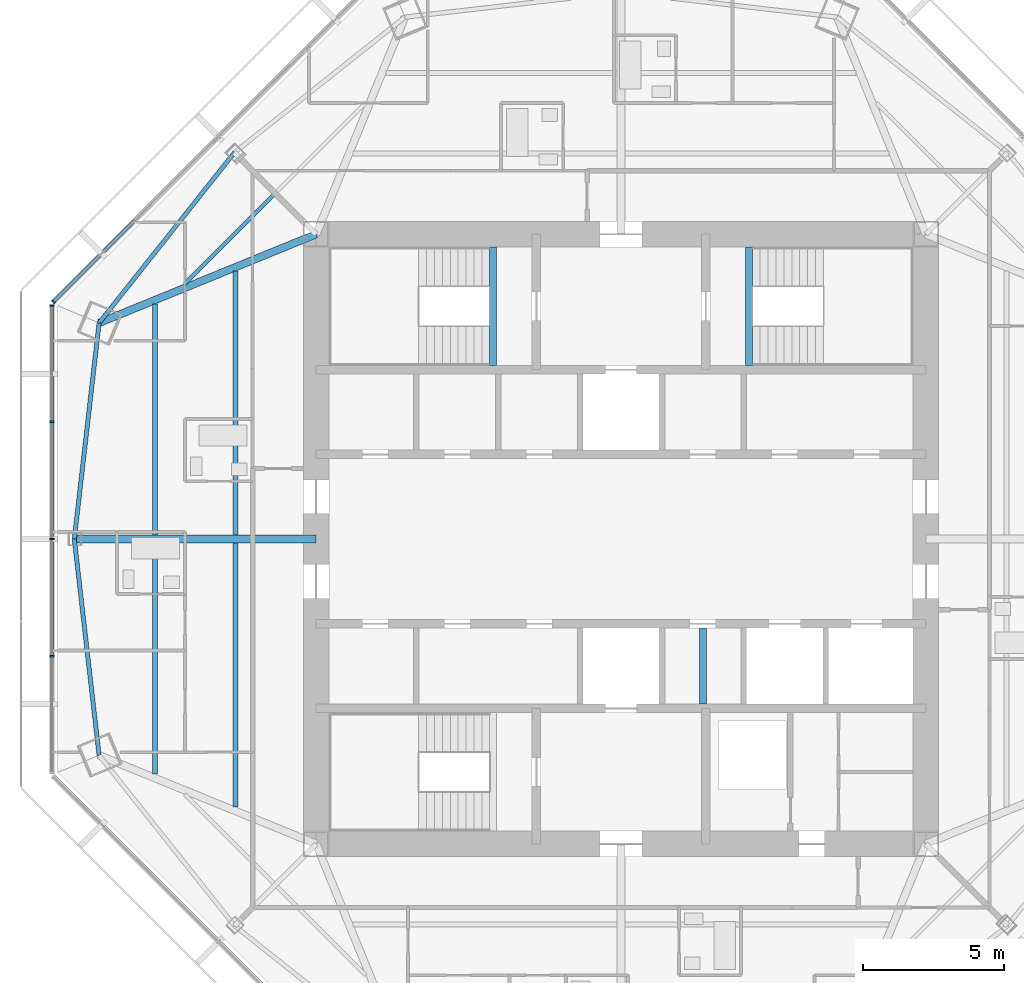
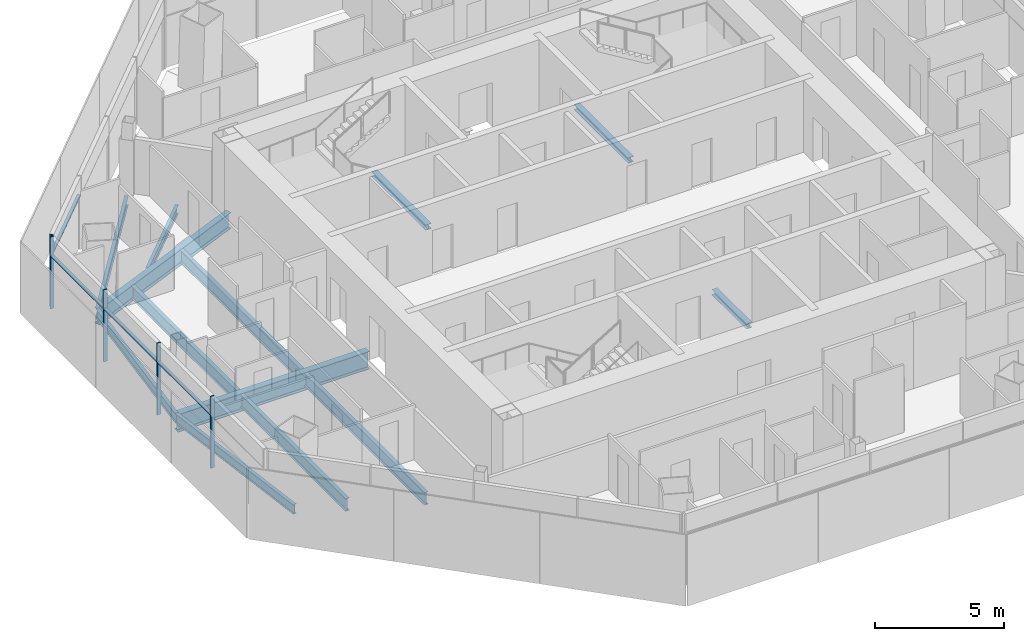
# One storey, part 4 of 15: 13 beams, 9 members, 2 elements without a shape of their own.
"""IFC4 building model written with IfcOpenShell, lengths in metres."""

import ifcopenshell
import ifcopenshell.guid

model = None  # the IFC model being written
_history = None  # IfcOwnerHistory: only IFC2X3 demands one
_inside = {}  # id of a spatial element -> (the spatial element, [elements in it])
_under = {}  # id of a project, library or spatial element -> (it, [spatial elements below it])
_declared = {}  # id of a project -> (the project, [libraries it declares])
_typed = {}  # id of a type object -> (the type object, [elements of that type])
_made_of = {}  # id of a material, layer set ... -> (it, [elements and type objects made of it])


def new_model(schema):
    """Start an empty IFC model of exactly this schema.

    Asked for "IFC4X3", IfcOpenShell would pick the latest addendum, in which some entities
    have other attributes; the version numbers below select the first issue.
    IFC2X3 requires an IfcOwnerHistory on every rooted entity: one is made here for all.
    """
    global model, _history
    if schema == "IFC4X3":
        model = ifcopenshell.file(schema_version=(4, 3, 0, 0))
    else:
        model = ifcopenshell.file(schema=schema)
    _inside.clear()
    _under.clear()
    _declared.clear()
    _typed.clear()
    _made_of.clear()
    _history = None
    if model.schema == "IFC2X3":
        org = make("IfcOrganization", Name="unknown")
        user = make(
            "IfcPersonAndOrganization",
            ThePerson=make("IfcPerson", FamilyName="unknown"),
            TheOrganization=org,
        )
        app = make(
            "IfcApplication",
            ApplicationDeveloper=org,
            Version="unknown",
            ApplicationFullName="unknown",
            ApplicationIdentifier="unknown",
        )
        _history = make(
            "IfcOwnerHistory",
            OwningUser=user,
            OwningApplication=app,
            ChangeAction="ADDED",
            CreationDate=0,
        )
    return model


def make(cls, **values):
    """One entity of the class cls with the attributes given. An attribute that is None is left unset."""
    return model.create_entity(
        cls, **{name: value for name, value in values.items() if value is not None}
    )


def rooted(cls, **values):
    """An entity with a GlobalId (a new one), such as an element, a storey or a relation."""
    return make(cls, GlobalId=ifcopenshell.guid.new(), OwnerHistory=_history, **values)


def si_unit(unit_type, name, prefix=None):
    """IfcSIUnit, for example si_unit("LENGTHUNIT", "METRE", prefix="MILLI")."""
    return make("IfcSIUnit", UnitType=unit_type, Prefix=prefix, Name=name)


def assignment(units):
    """IfcUnitAssignment: the units of a project."""
    return None if units is None else make("IfcUnitAssignment", Units=units)


def point(xyz):
    """IfcCartesianPoint."""
    return None if xyz is None else make("IfcCartesianPoint", Coordinates=xyz)


def direction(xyz):
    """IfcDirection."""
    return None if xyz is None else make("IfcDirection", DirectionRatios=xyz)


def frame(location, z_axis=None, x_axis=None):
    """IfcAxis2Placement3D, a coordinate frame: its origin and axes. An axis left out is left unset."""
    return make(
        "IfcAxis2Placement3D",
        Location=point(location),
        Axis=direction(z_axis),
        RefDirection=direction(x_axis),
    )


def frame_2d(location, x_axis=None):
    """IfcAxis2Placement2D, a coordinate frame in the plane: its origin and x axis."""
    return make(
        "IfcAxis2Placement2D", Location=point(location), RefDirection=direction(x_axis)
    )


def origin():
    """The frame at (0, 0, 0) with its axes left unset."""
    return frame((0.0, 0.0, 0.0))


def origin_2d():
    """The frame at (0, 0) in the plane with its x axis left unset."""
    return frame_2d((0.0, 0.0))


def place(relative_to, where):
    """IfcLocalPlacement: puts the frame where relative to a parent placement (None: the world)."""
    return make(
        "IfcLocalPlacement", PlacementRelTo=relative_to, RelativePlacement=where
    )


def context(
    kind, dimensions, precision=None, world=None, true_north=None, identifier=None
):
    """IfcGeometricRepresentationContext, for example the 3D "Model" context."""
    return make(
        "IfcGeometricRepresentationContext",
        ContextIdentifier=identifier,
        ContextType=kind,
        CoordinateSpaceDimension=dimensions,
        Precision=precision,
        WorldCoordinateSystem=world,
        TrueNorth=true_north,
    )


def subcontext(parent, identifier, kind, view, scale=None):
    """IfcGeometricRepresentationSubContext, for example "Body" below "Model"."""
    return make(
        "IfcGeometricRepresentationSubContext",
        ContextIdentifier=identifier,
        ContextType=kind,
        ParentContext=parent,
        TargetScale=scale,
        TargetView=view,
    )


def project(units=None, contexts=None):
    """IfcProject with its units and contexts."""
    return rooted(
        "IfcProject",
        Name="project",
        RepresentationContexts=contexts,
        UnitsInContext=assignment(units),
    )


def spatial(cls, under=None, at=None, **own):
    """A site, building, storey or space (cls), placed at a placement, below another one or the project."""
    s = rooted(cls, ObjectPlacement=at, **own)
    if under is not None:
        _under.setdefault(under.id(), (under, []))[1].append(s)
    return s


def profile(cls, at=None, kind="AREA", **sizes):
    """A parametric profile (cls). Its sizes go by their IFC names, for example OverallWidth=200.0."""
    return make(cls, ProfileType=kind, Position=at, **sizes)


def rectangle(**sizes):
    """IfcRectangleProfileDef."""
    return profile("IfcRectangleProfileDef", **sizes)


def i_section(**sizes):
    """IfcIShapeProfileDef."""
    return profile("IfcIShapeProfileDef", **sizes)


def extrude(swept, where, along, depth):
    """IfcExtrudedAreaSolid: the profile swept, set in the frame where, extruded along a direction by depth."""
    return make(
        "IfcExtrudedAreaSolid",
        SweptArea=swept,
        Position=where,
        ExtrudedDirection=direction(along),
        Depth=depth,
    )


def shape(context_of_items, identifier, shape_type, items):
    """IfcShapeRepresentation: the items that make up one representation, for example the "Body"."""
    return make(
        "IfcShapeRepresentation",
        ContextOfItems=context_of_items,
        RepresentationIdentifier=identifier,
        RepresentationType=shape_type,
        Items=items,
    )


def source(mapping_origin, context_of_items, identifier, shape_type, items):
    """IfcRepresentationMap: a shape defined once, which mapped items show again and again."""
    return make(
        "IfcRepresentationMap",
        MappingOrigin=mapping_origin,
        MappedRepresentation=shape(context_of_items, identifier, shape_type, items),
    )


def transform(
    local_origin,
    x_axis=None,
    y_axis=None,
    z_axis=None,
    scale=None,
    scale2=None,
    scale3=None,
    uniform=True,
):
    """IfcCartesianTransformationOperator3D, or its non-uniform kind. x_axis, y_axis, z_axis: its Axis1, 2, 3."""
    if uniform:
        return make(
            "IfcCartesianTransformationOperator3D",
            Axis1=direction(x_axis),
            Axis2=direction(y_axis),
            LocalOrigin=point(local_origin),
            Scale=scale,
            Axis3=direction(z_axis),
        )
    return make(
        "IfcCartesianTransformationOperator3DnonUniform",
        Axis1=direction(x_axis),
        Axis2=direction(y_axis),
        LocalOrigin=point(local_origin),
        Scale=scale,
        Axis3=direction(z_axis),
        Scale2=scale2,
        Scale3=scale3,
    )


def mapped(mapping_source, mapping_target):
    """IfcMappedItem: shows the shape of a source again, moved by a transform."""
    return make(
        "IfcMappedItem", MappingSource=mapping_source, MappingTarget=mapping_target
    )


def material(Name=None, Category=None):
    """IfcMaterial."""
    return make("IfcMaterial", Name=Name, Category=Category)


def material_profile(
    of_material, cross_section, Name=None, Category=None, Priority=None
):
    """IfcMaterialProfile: a cross section and its material."""
    return make(
        "IfcMaterialProfile",
        Name=Name,
        Material=of_material,
        Profile=cross_section,
        Priority=Priority,
        Category=Category,
    )


def profile_set(profiles, Name=None, composite=None):
    """IfcMaterialProfileSet."""
    return make(
        "IfcMaterialProfileSet",
        Name=Name,
        MaterialProfiles=profiles,
        CompositeProfile=composite,
    )


def made_of(thing, what):
    """Note that an element or type object is made of a material, layer set ...; save() writes the relation."""
    if what is not None:
        _made_of.setdefault(what.id(), (what, []))[1].append(thing)
    return thing


def type_object(cls, material=None, **own):
    """A type object (cls), such as IfcWallType, which elements share."""
    return made_of(rooted(cls, **own), material)


def type_shapes(of_type, sources):
    """Give a type object the sources (RepresentationMaps) that its elements show as mapped items."""
    of_type.RepresentationMaps = sources


def element(
    cls,
    number,
    at=None,
    inside=None,
    cuts=None,
    type_object=None,
    material=None,
    context=None,
    identifier="Body",
    shape_type=None,
    held_by="IfcProductDefinitionShape",
    body=None,
    shapes=None,
    **own,
):
    """One element of the class cls, such as IfcWall. Its Tag is "e" and its number.

    at: its placement. inside: the storey or other place that contains it. cuts: it is an
    opening in that element (IfcRelVoidsElement). A single representation is given by context,
    identifier, shape_type and body (its items); several are given by shapes. held_by: the class
    of the entity that holds the representations. save() writes the other relations.
    """
    e = rooted(cls, Tag="e%d" % number, ObjectPlacement=at, **own)
    if body is not None:
        shapes = [shape(context, identifier, shape_type, body)]
    if shapes is not None:
        e.Representation = make(held_by, Representations=shapes)
    if inside is not None:
        _inside.setdefault(inside.id(), (inside, []))[1].append(e)
    if cuts is not None:
        rooted(
            "IfcRelVoidsElement", RelatingBuildingElement=cuts, RelatedOpeningElement=e
        )
    if type_object is not None:
        _typed.setdefault(type_object.id(), (type_object, []))[1].append(e)
    return made_of(e, material)


def aggregate(whole, parts):
    """IfcRelAggregates: a whole, such as a stair, and the parts it consists of."""
    return rooted("IfcRelAggregates", RelatingObject=whole, RelatedObjects=parts)


def save(model, path):
    """Write the relations noted so far, then the file.

    IfcRelAggregates (storeys below a building ...), IfcRelContainedInSpatialStructure (elements
    in a storey), IfcRelDefinesByType, IfcRelAssociatesMaterial and IfcRelDeclares: one each for
    every whole, place, type object, material and project.
    """
    for whole, parts in _under.values():
        aggregate(whole, parts)
    for where, things in _inside.values():
        rooted(
            "IfcRelContainedInSpatialStructure",
            RelatedElements=things,
            RelatingStructure=where,
        )
    for kind, things in _typed.values():
        rooted("IfcRelDefinesByType", RelatedObjects=things, RelatingType=kind)
    for what, things in _made_of.values():
        rooted("IfcRelAssociatesMaterial", RelatedObjects=things, RelatingMaterial=what)
    for by, libraries in _declared.values():
        rooted("IfcRelDeclares", RelatingContext=by, RelatedDefinitions=libraries)
    model.write(path)


model = new_model("IFC4")

# Units and contexts
model_context = context("Model", 3, precision=1e-05, world=origin(), true_north=direction((0.0, 1.0)))
body_context = subcontext(model_context, "Body", "Model", "MODEL_VIEW")
ifc_project = project(units=[si_unit("LENGTHUNIT", "METRE"), si_unit("AREAUNIT", "SQUARE_METRE"), si_unit("VOLUMEUNIT", "CUBIC_METRE"), si_unit("PLANEANGLEUNIT", "RADIAN"), si_unit("MASSUNIT", "GRAM", prefix="KILO")], contexts=[model_context])

# Site, building, storey
site_placement = place(None, origin())
site = spatial("IfcSite", under=ifc_project, at=site_placement, CompositionType="ELEMENT")
building_placement = place(site_placement, origin())
building = spatial("IfcBuilding", under=site, at=building_placement, Name="Mashrafa Tower", CompositionType="ELEMENT")
storey_placement = place(building_placement, frame((0.0, 0.0, 277.60009765625)))
storey = spatial("IfcBuildingStorey", under=building, at=storey_placement, Name="L67", CompositionType="ELEMENT", Elevation=277.60009765625)

# Beams
ifc_material_1 = material(Name="Steel ASTM A992", Category="steel")
ifc_material_profile_1 = material_profile(ifc_material_1, i_section(OverallWidth=0.140380859375, OverallDepth=0.40380859375, WebThickness=0.007080078125, FlangeThickness=0.01123046875, FilletRadius=0.01025390625, at=origin_2d()), Name="W16X31")
ifc_profile_set_1 = profile_set([ifc_material_profile_1], Name="Steel ASTM A992")
beam_type_1 = type_object("IfcBeamType", Name="Beam W16X31", PredefinedType="BEAM", material=ifc_profile_set_1)
beam_1_placement = place(storey_placement, frame((-15.451171875, 9.0439453125, -0.402099609375), z_axis=(0.707106781187, 0.707106781187, 0.0), x_axis=(-0.707106781187, 0.707106781187, 0.0)))
element("IfcBeam", 1, at=beam_1_placement, inside=storey, type_object=beam_type_1, Name="Floor beam L67 003", PredefinedType="BEAM", context=body_context, shape_type="SweptSolid", body=[
    extrude(i_section(OverallWidth=0.140380859375, OverallDepth=0.40380859375, WebThickness=0.007080078125, FlangeThickness=0.01123046875, FilletRadius=0.01025390625, at=origin_2d()), origin(), (0.0, 0.0, 1.0), 4.44140625),
])
ifc_material_2 = material(Name="Steel ASTM A992", Category="steel")
ifc_material_profile_2 = material_profile(ifc_material_2, i_section(OverallWidth=0.15234375, OverallDepth=0.449462890625, WebThickness=0.007568359375, FlangeThickness=0.0107421875, FilletRadius=0.01025390625, at=origin_2d()), Name="W18X35")
ifc_profile_set_2 = profile_set([ifc_material_profile_2], Name="Steel ASTM A992")
beam_type_2 = type_object("IfcBeamType", Name="Beam W18X35", PredefinedType="BEAM", material=ifc_profile_set_2)
for number, where, z_axis, x_axis, name in (
    (2, (-19.367431640625, 0.0, -0.4248046875), (0.113920842781, -0.993489829631, 0.0), (0.993489829631, 0.113920842781, 0.0), "Spandrel beam L67 041"),
    (3, (-18.4892578125, 7.658447265625, -0.4248046875), (-0.113920842781, -0.993489829631, 0.0), (0.993489829631, -0.113920842781, 0.0), "Spandrel beam L67 043"),
    (4, (-13.69482421875, 13.69482421875, -0.4248046875), (-0.62194897741, -0.783057768941, 0.0), (0.783057768941, -0.62194897741, 0.0), "Spandrel beam L67 045"),
):
    element("IfcBeam", number, at=place(storey_placement, frame(where, z_axis=z_axis, x_axis=x_axis)), inside=storey, type_object=beam_type_2, Name=name, PredefinedType="BEAM", context=body_context, shape_type="SweptSolid", body=[
        extrude(i_section(OverallWidth=0.15234375, OverallDepth=0.449462890625, WebThickness=0.007568359375, FlangeThickness=0.0107421875, FilletRadius=0.01025390625, at=origin_2d()), origin(), (0.0, 0.0, 1.0), 7.708740234375),
    ])
ifc_material_3 = material(Name="Steel ASTM A992", Category="steel")
ifc_material_profile_3 = material_profile(ifc_material_3, i_section(OverallWidth=0.177978515625, OverallDepth=0.599365234375, WebThickness=0.010009765625, FlangeThickness=0.012939453125, FilletRadius=0.012939453125, at=origin_2d()), Name="W24X55")
ifc_profile_set_3 = profile_set([ifc_material_profile_3], Name="Steel ASTM A992")
beam_type_3 = type_object("IfcBeamType", Name="Beam W24X55", PredefinedType="BEAM", material=ifc_profile_set_3)
for number, where, z_axis, x_axis, name in (
    (5, (-16.51171875, -8.322509765625, -0.499755859375), (0.0, 1.0, 0.0), (-1.0, 0.0, 0.0), "Floor beam L67 001"),
    (6, (-16.51171875, 0.14599609375, -0.499755859375), (0.0, 1.0, 0.0), (-1.0, 0.0, 0.0), "Floor beam L67 002"),
):
    element("IfcBeam", number, at=place(storey_placement, frame(where, z_axis=z_axis, x_axis=x_axis)), inside=storey, type_object=beam_type_3, Name=name, PredefinedType="BEAM", context=body_context, shape_type="SweptSolid", body=[
        extrude(i_section(OverallWidth=0.177978515625, OverallDepth=0.599365234375, WebThickness=0.010009765625, FlangeThickness=0.012939453125, FilletRadius=0.012939453125, at=origin_2d()), origin(), (0.0, 0.0, 1.0), 8.176513671875),
    ])
for number, where, z_axis, x_axis, name in (
    (7, (-13.65576171875, -9.4892578125, -0.499755859375), (0.0, 1.0, 0.0), (-1.0, 0.0, 0.0), "Floor beam L67 004"),
    (8, (-13.65576171875, 0.14599609375, -0.499755859375), (0.0, 1.0, 0.0), (-1.0, 0.0, 0.0), "Floor beam L67 005"),
):
    element("IfcBeam", number, at=place(storey_placement, frame(where, z_axis=z_axis, x_axis=x_axis)), inside=storey, type_object=beam_type_3, Name=name, PredefinedType="BEAM", context=body_context, shape_type="SweptSolid", body=[
        extrude(i_section(OverallWidth=0.177978515625, OverallDepth=0.599365234375, WebThickness=0.010009765625, FlangeThickness=0.012939453125, FilletRadius=0.012939453125, at=origin_2d()), origin(), (0.0, 0.0, 1.0), 9.34326171875),
    ])
ifc_material_4 = material(Name="Steel ASTM A992", Category="steel")
ifc_material_profile_4 = material_profile(ifc_material_4, i_section(OverallWidth=0.2666015625, OverallDepth=0.761962890625, WebThickness=0.014404296875, FlangeThickness=0.021484375, FilletRadius=0.0166015625, at=origin_2d()), Name="W30X116")
ifc_profile_set_4 = profile_set([ifc_material_profile_4], Name="Steel ASTM A992")
beam_type_4 = type_object("IfcBeamType", Name="Beam W30X116", PredefinedType="BEAM", material=ifc_profile_set_4)
beam_2_placement = place(storey_placement, frame((-10.800048828125, 10.800048828125, -0.5810546875), z_axis=(-0.925714948157, -0.378221938495, 0.0), x_axis=(0.378221938495, -0.925714948157, 0.0)))
element("IfcBeam", 9, at=beam_2_placement, inside=storey, type_object=beam_type_4, Name="Radial girder L67 029", PredefinedType="BEAM", context=body_context, shape_type="SweptSolid", body=[
    extrude(i_section(OverallWidth=0.2666015625, OverallDepth=0.761962890625, WebThickness=0.014404296875, FlangeThickness=0.021484375, FilletRadius=0.0166015625, at=origin_2d()), origin(), (0.0, 0.0, 1.0), 8.30615234375),
])
ifc_material_5 = material(Name="Steel ASTM A992", Category="steel")
ifc_material_profile_5 = material_profile(ifc_material_5, i_section(OverallWidth=0.2919921875, OverallDepth=0.845703125, WebThickness=0.015380859375, FlangeThickness=0.0244140625, FilletRadius=0.017333984375, at=origin_2d()), Name="W33X141")
ifc_profile_set_5 = profile_set([ifc_material_profile_5], Name="Steel ASTM A992")
beam_type_5 = type_object("IfcBeamType", Name="Beam W33X141", PredefinedType="BEAM", material=ifc_profile_set_5)
beam_3_placement = place(storey_placement, frame((-10.800048828125, 0.0, -0.623046875), z_axis=(-1.0, 0.0, 0.0), x_axis=(0.0, -1.0, 0.0)))
element("IfcBeam", 10, at=beam_3_placement, inside=storey, type_object=beam_type_5, Name="Radial girder L67 028", PredefinedType="BEAM", context=body_context, shape_type="SweptSolid", body=[
    extrude(i_section(OverallWidth=0.2919921875, OverallDepth=0.845703125, WebThickness=0.015380859375, FlangeThickness=0.0244140625, FilletRadius=0.017333984375, at=origin_2d()), origin(), (0.0, 0.0, 1.0), 8.5673828125),
])
ifc_material_6 = material(Name="Steel ASTM A992", Category="steel")
ifc_material_profile_6 = material_profile(ifc_material_6, i_section(OverallWidth=0.25390625, OverallDepth=0.25390625, WebThickness=0.008544921875, FlangeThickness=0.01416015625, FilletRadius=0.010009765625, at=origin_2d()), Name="W10X49")
ifc_profile_set_6 = profile_set([ifc_material_profile_6], Name="Steel ASTM A992")
beam_type_6 = type_object("IfcBeamType", Name="Hoistway beam W10X49", PredefinedType="BEAM", material=ifc_profile_set_6)
beam_4_placement = place(storey_placement, frame((2.89990234375, -5.85009765625, -0.3271484375), z_axis=(0.0, 1.0, 0.0), x_axis=(-1.0, 0.0, 0.0)))
element("IfcBeam", 11, at=beam_4_placement, inside=storey, type_object=beam_type_6, Name="Hoistway beam L67 08", PredefinedType="BEAM", context=body_context, shape_type="SweptSolid", body=[
    extrude(i_section(OverallWidth=0.25390625, OverallDepth=0.25390625, WebThickness=0.008544921875, FlangeThickness=0.01416015625, FilletRadius=0.010009765625, at=origin_2d()), origin(), (0.0, 0.0, 1.0), 2.7001953125),
])
for number, where, z_axis, x_axis, name in (
    (12, (-4.530029296875, 6.14990234375, -0.3271484375), (0.0, 1.0, 0.0), (-1.0, 0.0, 0.0), "Stair S1 landing beam L67"),
    (13, (4.530029296875, 6.14990234375, -0.3271484375), (0.0, 1.0, 0.0), (-1.0, 0.0, 0.0), "Stair S2 landing beam L67"),
):
    element("IfcBeam", number, at=place(storey_placement, frame(where, z_axis=z_axis, x_axis=x_axis)), inside=storey, type_object=beam_type_6, Name=name, PredefinedType="BEAM", context=body_context, shape_type="SweptSolid", body=[
        extrude(i_section(OverallWidth=0.25390625, OverallDepth=0.25390625, WebThickness=0.008544921875, FlangeThickness=0.01416015625, FilletRadius=0.010009765625, at=origin_2d()), origin(), (0.0, 0.0, 1.0), 4.2001953125),
    ])

# Curtain wall, member
ifc_material_7 = material(Name="Unitised aluminium curtain wall", Category="aluminium")
curtain_wall_type = type_object("IfcCurtainWallType", Name="Apartment curtain wall, zone 4 CW-D 160 deep", PredefinedType="NOTDEFINED", material=ifc_material_7)
curtain_wall_1_placement = place(storey_placement, origin())
curtain_wall_1 = element("IfcCurtainWall", 14, at=curtain_wall_1_placement, inside=storey, type_object=curtain_wall_type, Name="Apartment curtain wall, zone 4 L67 north-west", PredefinedType="NOTDEFINED")
ifc_material_8 = material(Name="Extruded aluminium mullion", Category="aluminium")
ifc_material_profile_7 = material_profile(ifc_material_8, rectangle(XDim=0.159912109375, YDim=0.06005859375, at=origin_2d()), Name="Mullion 60x160")
ifc_profile_set_7 = profile_set([ifc_material_profile_7], Name="Extruded aluminium mullion")
member_type_1 = type_object("IfcMemberType", Name="Mullion CW-D 60 x 160", PredefinedType="MULLION", material=ifc_profile_set_7)
shared_shape_1 = source(origin(), body_context, "Body", "SweptSolid", [
    extrude(rectangle(XDim=0.159912109375, YDim=0.06005859375, at=origin_2d()), origin(), (0.0, 0.0, 1.0), 3.39990234375),
])
type_shapes(member_type_1, [shared_shape_1])
member_1_placement = place(storey_placement, frame((-20.110107421875, 8.403076171875, 0.0), z_axis=(0.0, 0.0, 1.0), x_axis=(0.707106781187, -0.707106781187, 0.0)))
member_1 = element("IfcMember", 15, at=member_1_placement, type_object=member_type_1, Name="CW-D mullion 5", PredefinedType="MULLION", context=body_context, shape_type="MappedRepresentation", body=[
    mapped(shared_shape_1, transform((0.0, 0.0, 0.0))),
])

# Curtain wall, members
curtain_wall_2_placement = place(storey_placement, origin())
curtain_wall_2 = element("IfcCurtainWall", 16, at=curtain_wall_2_placement, inside=storey, type_object=curtain_wall_type, Name="Apartment curtain wall, zone 4 L67 west", PredefinedType="NOTDEFINED")
member_2_placement = place(storey_placement, frame((-20.161865234375, 8.278076171875, 0.0), z_axis=(0.0, 0.0, 1.0), x_axis=(1.0, 0.0, 0.0)))
member_2 = element("IfcMember", 17, at=member_2_placement, type_object=member_type_1, Name="CW-D mullion 1", PredefinedType="MULLION", context=body_context, shape_type="MappedRepresentation", body=[
    mapped(shared_shape_1, transform((0.0, 0.0, 0.0))),
])
member_3_placement = place(storey_placement, frame((-20.161865234375, 4.154052734375, 0.0), z_axis=(0.0, 0.0, 1.0), x_axis=(1.0, 0.0, 0.0)))
member_3 = element("IfcMember", 18, at=member_3_placement, type_object=member_type_1, Name="CW-D mullion 2", PredefinedType="MULLION", context=body_context, shape_type="MappedRepresentation", body=[
    mapped(shared_shape_1, transform((0.0, 0.0, 0.0))),
])
member_4_placement = place(storey_placement, frame((-20.161865234375, 0.0, 0.0), z_axis=(0.0, 0.0, 1.0), x_axis=(1.0, 0.0, 0.0)))
member_4 = element("IfcMember", 19, at=member_4_placement, type_object=member_type_1, Name="CW-D mullion 3", PredefinedType="MULLION", context=body_context, shape_type="MappedRepresentation", body=[
    mapped(shared_shape_1, transform((0.0, 0.0, 0.0))),
])
member_5_placement = place(storey_placement, frame((-20.161865234375, -4.154052734375, 0.0), z_axis=(0.0, 0.0, 1.0), x_axis=(1.0, 0.0, 0.0)))
member_5 = element("IfcMember", 20, at=member_5_placement, type_object=member_type_1, Name="CW-D mullion 4", PredefinedType="MULLION", context=body_context, shape_type="MappedRepresentation", body=[
    mapped(shared_shape_1, transform((0.0, 0.0, 0.0))),
])

# Member
ifc_material_9 = material(Name="Extruded aluminium transom", Category="aluminium")
ifc_material_profile_8 = material_profile(ifc_material_9, rectangle(XDim=0.1279296875, YDim=0.074951171875, at=origin_2d()), Name="Transom 75x128")
ifc_profile_set_8 = profile_set([ifc_material_profile_8], Name="Extruded aluminium transom")
member_type_2 = type_object("IfcMemberType", Name="Transom CW-D 75 x 128", PredefinedType="MULLION", material=ifc_profile_set_8)
shared_shape_2 = source(origin(), body_context, "Body", "SweptSolid", [
    extrude(rectangle(XDim=0.1279296875, YDim=0.074951171875, at=origin_2d()), origin(), (0.0, 0.0, 1.0), 4.06396484375),
])
member_6_placement = place(storey_placement, frame((-17.215087890625, 11.2978515625, 2.5), z_axis=(-0.707136817793, -0.707076743304, 0.0), x_axis=(0.707076743304, -0.707136817793, 0.0)))
member_6 = element("IfcMember", 21, at=member_6_placement, type_object=member_type_2, Name="CW-D transom 4", PredefinedType="MULLION", context=body_context, shape_type="MappedRepresentation", body=[
    mapped(shared_shape_2, transform((0.0, 0.0, 0.0))),
])

aggregate(curtain_wall_1, [member_1, member_6])

member_7_placement = place(storey_placement, frame((-20.161865234375, 8.248046875, 2.5), z_axis=(0.0, -1.0, 0.0), x_axis=(1.0, 0.0, 0.0)))
member_7 = element("IfcMember", 22, at=member_7_placement, type_object=member_type_2, Name="CW-D transom 1", PredefinedType="MULLION", context=body_context, shape_type="MappedRepresentation", body=[
    mapped(shared_shape_2, transform((0.0, 0.0, 0.0))),
])

shared_shape_3 = source(origin(), body_context, "Body", "SweptSolid", [
    extrude(rectangle(XDim=0.1279296875, YDim=0.074951171875, at=origin_2d()), origin(), (0.0, 0.0, 1.0), 4.093994140625),
])
type_shapes(member_type_2, [shared_shape_2, shared_shape_3])
member_8_placement = place(storey_placement, frame((-20.161865234375, 4.1240234375, 2.5), z_axis=(0.0, -1.0, 0.0), x_axis=(1.0, 0.0, 0.0)))
member_8 = element("IfcMember", 23, at=member_8_placement, type_object=member_type_2, Name="CW-D transom 2", PredefinedType="MULLION", context=body_context, shape_type="MappedRepresentation", body=[
    mapped(shared_shape_3, transform((0.0, 0.0, 0.0))),
])

member_9_placement = place(storey_placement, frame((-20.161865234375, -0.030029296875, 2.5), z_axis=(0.0, -1.0, 0.0), x_axis=(1.0, 0.0, 0.0)))
member_9 = element("IfcMember", 24, at=member_9_placement, type_object=member_type_2, Name="CW-D transom 3", PredefinedType="MULLION", context=body_context, shape_type="MappedRepresentation", body=[
    mapped(shared_shape_3, transform((0.0, 0.0, 0.0))),
])

aggregate(curtain_wall_2, [member_2, member_3, member_4, member_5, member_7, member_8, member_9])

save(model, "model.ifc")
